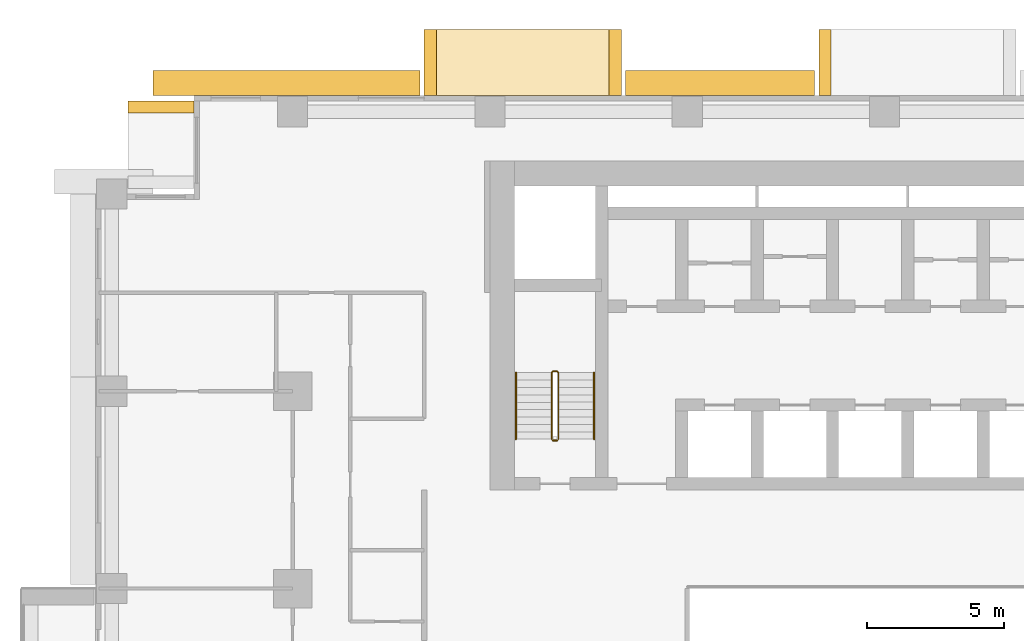
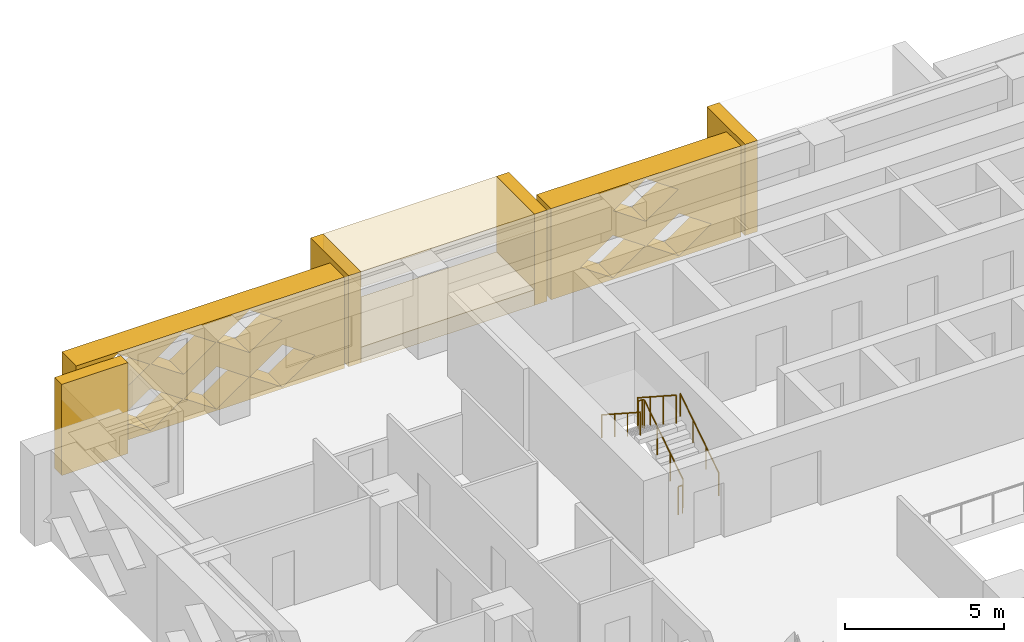
# One storey, part 14 of 16: 8 coverings, 4 railings.
"""IFC4 building model written with IfcOpenShell, lengths in metres."""

from ifc_helpers import new_model, si_unit, direction, frame, origin, origin_2d, place, context, subcontext, project, spatial, polyline, circle, outline, extrude, material, type_object, element, save


model = new_model("IFC4")

# Units and contexts
model_context = context("Model", 3, precision=1e-05, world=origin(), true_north=direction((0.0, 1.0)))
body_context = subcontext(model_context, "Body", "Model", "MODEL_VIEW")
ifc_project = project(units=[si_unit("LENGTHUNIT", "METRE"), si_unit("AREAUNIT", "SQUARE_METRE"), si_unit("VOLUMEUNIT", "CUBIC_METRE"), si_unit("PLANEANGLEUNIT", "RADIAN"), si_unit("MASSUNIT", "GRAM", prefix="KILO")], contexts=[model_context])

# Site, building, storey
site_placement = place(None, origin())
site = spatial("IfcSite", under=ifc_project, at=site_placement, CompositionType="ELEMENT")
building_placement = place(site_placement, origin())
building = spatial("IfcBuilding", under=site, at=building_placement, Name="Saffron Iwan Residences", CompositionType="ELEMENT")
storey_placement = place(building_placement, frame((0.0, 0.0, 48.0)))
storey = spatial("IfcBuildingStorey", under=building, at=storey_placement, Name="L11", CompositionType="ELEMENT", Elevation=48.0)

# Coverings
ifc_material_1 = material(Name="Precast concrete C40/50", Category="concrete")
covering_type_1 = type_object("IfcCoveringType", Name="OUTER SKIN LATTICE SCREEN", PredefinedType="CLADDING", material=ifc_material_1)
covering_1_placement = place(storey_placement, frame((40.64990234375, 80.39990234375, -0.320068359375), z_axis=(0.0, 1.0, 0.0), x_axis=(-1.0, 0.0, 0.0)))
element("IfcCovering", 1, at=covering_1_placement, inside=storey, type_object=covering_type_1, Name="OUTER SKIN lattice screen L11 F5.3", PredefinedType="CLADDING", context=body_context, shape_type="SweptSolid", body=[
    extrude(outline(polyline([(0.0, 0.0), (6.89990234375, 0.0), (6.89990234375, 3.5), (0.0, 3.5), (0.0, 0.0)]), holes=[polyline([(1.070068359375, 0.875), (2.25, 0.06005859375), (3.429931640625, 0.875), (2.25, 1.68994140625), (1.070068359375, 0.875)]), polyline([(3.469970703125, 0.875), (4.64990234375, 0.06005859375), (5.830078125, 0.875), (4.64990234375, 1.68994140625), (3.469970703125, 0.875)]), polyline([(2.27001953125, 2.625), (3.449951171875, 1.81005859375), (4.6298828125, 2.625), (3.449951171875, 3.43994140625), (2.27001953125, 2.625)])]), origin(), (0.0, 0.0, 1.0), 0.900146484375),
])
covering_2_placement = place(storey_placement, frame((26.25, 80.39990234375, -0.320068359375), z_axis=(0.0, 1.0, 0.0), x_axis=(-1.0, 0.0, 0.0)))
element("IfcCovering", 2, at=covering_2_placement, inside=storey, type_object=covering_type_1, Name="OUTER SKIN lattice screen L11 F5.4", PredefinedType="CLADDING", context=body_context, shape_type="SweptSolid", body=[
    extrude(outline(polyline([(0.0, 0.0), (9.75, 0.0), (9.75, 3.5), (0.0, 3.5), (0.0, 0.0)]), holes=[polyline([(1.070068359375, 0.875), (2.25, 0.06005859375), (3.429931640625, 0.875), (2.25, 1.68994140625), (1.070068359375, 0.875)]), polyline([(3.469970703125, 0.875), (4.64990234375, 0.06005859375), (5.830078125, 0.875), (4.64990234375, 1.68994140625), (3.469970703125, 0.875)]), polyline([(5.8701171875, 0.875), (7.050048828125, 0.06005859375), (8.22998046875, 0.875), (7.050048828125, 1.68994140625), (5.8701171875, 0.875)]), polyline([(2.27001953125, 2.625), (3.449951171875, 1.81005859375), (4.6298828125, 2.625), (3.449951171875, 3.43994140625), (2.27001953125, 2.625)]), polyline([(4.669921875, 2.625), (5.85009765625, 1.81005859375), (7.030029296875, 2.625), (5.85009765625, 3.43994140625), (4.669921875, 2.625)]), polyline([(7.070068359375, 2.625), (8.25, 1.81005859375), (9.429931640625, 2.625), (8.25, 3.43994140625), (7.070068359375, 2.625)])]), origin(), (0.0, 0.0, 1.0), 0.900146484375),
])

# Railings
ifc_material_2 = material(Name="Steel S355", Category="steel")
railing_type_1 = type_object("IfcRailingType", Name="Stair guard 1100", PredefinedType="GUARDRAIL", material=ifc_material_2)
railing_1_placement = place(storey_placement, frame((31.300048828125, 67.85009765625, 0.175048828125)))
element("IfcRailing", 3, at=railing_1_placement, inside=storey, type_object=railing_type_1, Name="L11 ST-W stair guard 1", PredefinedType="GUARDRAIL", context=body_context, shape_type="SweptSolid", body=[
    extrude(circle(Radius=0.02392578125, at=origin_2d()), frame((0.0, 0.0, 1.076171875), z_axis=(0.0, 0.839153699163, 0.543894354798), x_axis=(-1.0, 0.0, 0.0)), (0.0, 0.0, 1.0), 2.895751953125),
    extrude(circle(Radius=0.02392578125, at=origin_2d()), frame((0.0, 2.429931640625, 2.65087890625), z_axis=(-0.707106781187, 0.707106781187, 0.0), x_axis=(-0.707106781187, -0.707106781187, 0.0)), (0.0, 0.0, 1.0), 0.07080078125),
    extrude(circle(Radius=0.02392578125, at=origin_2d()), frame((-0.050048828125, 2.47998046875, 2.65087890625), z_axis=(-1.0, 0.0, 0.0), x_axis=(0.0, -1.0, 0.0)), (0.0, 0.0, 1.0), 0.14990234375),
    extrude(circle(Radius=0.02392578125, at=origin_2d()), frame((-0.199951171875, 2.47998046875, 2.65087890625), z_axis=(-0.265065253269, -0.265065253269, 0.927081885822), x_axis=(0.707106781187, -0.707106781187, 0.0)), (0.0, 0.0, 1.0), 0.188720703125),
    extrude(circle(Radius=0.02392578125, at=origin_2d()), frame((-0.25, 2.429931640625, 2.826171875), z_axis=(0.0, -0.839153699163, 0.543894354798), x_axis=(1.0, 0.0, 0.0)), (0.0, 0.0, 1.0), 2.895751953125),
    extrude(circle(Radius=0.02099609375, at=origin_2d()), origin(), (0.0, 0.0, 1.0), 1.052001953125),
    extrude(circle(Radius=0.02099609375, at=origin_2d()), frame((0.0, 0.81005859375, 0.52490234375)), (0.0, 0.0, 1.0), 1.052001953125),
    extrude(circle(Radius=0.02099609375, at=origin_2d()), frame((0.0, 1.619873046875, 1.050048828125)), (0.0, 0.0, 1.0), 1.052001953125),
    extrude(circle(Radius=0.02099609375, at=origin_2d()), frame((0.0, 2.429931640625, 1.574951171875)), (0.0, 0.0, 1.0), 1.052001953125),
    extrude(circle(Radius=0.02099609375, at=origin_2d()), frame((-0.050048828125, 2.47998046875, 1.574951171875)), (0.0, 0.0, 1.0), 1.052001953125),
    extrude(circle(Radius=0.02099609375, at=origin_2d()), frame((-0.199951171875, 2.47998046875, 1.574951171875)), (0.0, 0.0, 1.0), 1.052001953125),
    extrude(circle(Radius=0.02099609375, at=origin_2d()), frame((-0.25, 2.429931640625, 1.75)), (0.0, 0.0, 1.0), 1.052001953125),
    extrude(circle(Radius=0.02099609375, at=origin_2d()), frame((-0.25, 1.619873046875, 2.27490234375)), (0.0, 0.0, 1.0), 1.052001953125),
    extrude(circle(Radius=0.02099609375, at=origin_2d()), frame((-0.25, 0.81005859375, 2.800048828125)), (0.0, 0.0, 1.0), 1.052001953125),
    extrude(circle(Radius=0.02099609375, at=origin_2d()), frame((-0.25, 0.0, 3.324951171875)), (0.0, 0.0, 1.0), 1.052001953125),
])
railing_2_placement = place(storey_placement, frame((31.25, 67.800048828125, 0.0)))
element("IfcRailing", 4, at=railing_2_placement, inside=storey, type_object=railing_type_1, Name="L11 ST-W stair guard 2", PredefinedType="GUARDRAIL", context=body_context, shape_type="SweptSolid", body=[
    extrude(circle(Radius=0.02392578125, at=origin_2d()), frame((0.0, 0.0, 1.076171875), z_axis=(-1.0, 0.0, 0.0), x_axis=(0.0, -1.0, 0.0)), (0.0, 0.0, 1.0), 0.14990234375),
    extrude(circle(Radius=0.02099609375, at=origin_2d()), origin(), (0.0, 0.0, 1.0), 1.052001953125),
    extrude(circle(Radius=0.02099609375, at=origin_2d()), frame((-0.14990234375, 0.0, 0.0)), (0.0, 0.0, 1.0), 1.052001953125),
])
ifc_material_3 = material(Name="Stainless steel 316", Category="steel")
railing_type_2 = type_object("IfcRailingType", Name="Stair handrail 900", PredefinedType="HANDRAIL", material=ifc_material_3)
railing_3_placement = place(storey_placement, frame((32.60009765625, 67.85009765625, 0.175048828125)))
element("IfcRailing", 5, at=railing_3_placement, inside=storey, type_object=railing_type_2, Name="L11 ST-W stair handrail 1", PredefinedType="HANDRAIL", context=body_context, shape_type="SweptSolid", body=[
    extrude(circle(Radius=0.02392578125, at=origin_2d()), frame((0.0, 0.0, 0.8759765625), z_axis=(0.0, 0.839153699163, 0.543894354798), x_axis=(-1.0, 0.0, 0.0)), (0.0, 0.0, 1.0), 2.895751953125),
    extrude(circle(Radius=0.02099609375, at=origin_2d()), origin(), (0.0, 0.0, 1.0), 0.851806640625),
    extrude(circle(Radius=0.02099609375, at=origin_2d()), frame((0.0, 0.81005859375, 0.52490234375)), (0.0, 0.0, 1.0), 0.851806640625),
    extrude(circle(Radius=0.02099609375, at=origin_2d()), frame((0.0, 1.619873046875, 1.050048828125)), (0.0, 0.0, 1.0), 0.851806640625),
    extrude(circle(Radius=0.02099609375, at=origin_2d()), frame((0.0, 2.429931640625, 1.574951171875)), (0.0, 0.0, 1.0), 0.851806640625),
])
railing_4_placement = place(storey_placement, frame((29.75, 70.280029296875, 1.925048828125)))
element("IfcRailing", 6, at=railing_4_placement, inside=storey, type_object=railing_type_2, Name="L11 ST-W stair handrail 2", PredefinedType="HANDRAIL", context=body_context, shape_type="SweptSolid", body=[
    extrude(circle(Radius=0.02392578125, at=origin_2d()), frame((0.0, 0.0, 0.8759765625), z_axis=(0.0, -0.839153699163, 0.543894354798), x_axis=(1.0, 0.0, 0.0)), (0.0, 0.0, 1.0), 2.895751953125),
    extrude(circle(Radius=0.02099609375, at=origin_2d()), origin(), (0.0, 0.0, 1.0), 0.851806640625),
    extrude(circle(Radius=0.02099609375, at=origin_2d()), frame((0.0, -0.81005859375, 0.52490234375)), (0.0, 0.0, 1.0), 0.851806640625),
    extrude(circle(Radius=0.02099609375, at=origin_2d()), frame((0.0, -1.619873046875, 1.050048828125)), (0.0, 0.0, 1.0), 0.851806640625),
    extrude(circle(Radius=0.02099609375, at=origin_2d()), frame((0.0, -2.429931640625, 1.574951171875)), (0.0, 0.0, 1.0), 0.851806640625),
])

# Coverings
ifc_material_4 = material(Name="Precast concrete C40/50 white painted", Category="concrete")
covering_type_2 = type_object("IfcCoveringType", Name="WHITE SUN FRAME PRECAST", PredefinedType="CLADDING", material=ifc_material_4)
for number, where, z_axis, x_axis, name in (
    (7, (41.25, 80.39990234375, -0.320068359375), (0.0, 1.0, 0.0), (-1.0, 0.0, 0.0), "Sun frame L11 F5 34.8b"),
    (8, (33.60009765625, 80.39990234375, -0.320068359375), (0.0, 1.0, 0.0), (-1.0, 0.0, 0.0), "Sun frame L11 F5 49.2a"),
    (9, (26.85009765625, 80.39990234375, -0.320068359375), (0.0, 1.0, 0.0), (-1.0, 0.0, 0.0), "Sun frame L11 F5 49.2b"),
):
    element("IfcCovering", number, at=place(storey_placement, frame(where, z_axis=z_axis, x_axis=x_axis)), inside=storey, type_object=covering_type_2, Name=name, PredefinedType="CLADDING", context=body_context, shape_type="SweptSolid", body=[
        extrude(outline(polyline([(0.0, 0.0), (0.449951171875, 0.0), (0.449951171875, 3.5), (0.0, 3.5), (0.0, 0.0)])), origin(), (0.0, 0.0, 1.0), 2.400146484375),
    ])
for number, where, z_axis, x_axis, name in (
    (10, (33.14990234375, 80.39990234375, 2.580078125), (0.0, 1.0, 0.0), (-1.0, 0.0, 0.0), "Sun frame L11 F5 49.2h"),
    (11, (33.14990234375, 80.39990234375, -0.320068359375), (0.0, 1.0, 0.0), (-1.0, 0.0, 0.0), "Sun frame L11 F5 49.2s"),
):
    element("IfcCovering", number, at=place(storey_placement, frame(where, z_axis=z_axis, x_axis=x_axis)), inside=storey, type_object=covering_type_2, Name=name, PredefinedType="CLADDING", context=body_context, shape_type="SweptSolid", body=[
        extrude(outline(polyline([(0.0, 0.0), (6.300048828125, 0.0), (6.300048828125, 0.60009765625), (0.0, 0.60009765625), (0.0, 0.0)])), origin(), (0.0, 0.0, 1.0), 2.400146484375),
    ])
covering_3_placement = place(storey_placement, frame((18.0, 80.199951171875, -0.320068359375), z_axis=(-1.0, 0.0, 0.0), x_axis=(0.0, -1.0, 0.0)))
element("IfcCovering", 12, at=covering_3_placement, inside=storey, type_object=covering_type_2, Name="Sun frame L11 F6 0.2a", PredefinedType="CLADDING", context=body_context, shape_type="SweptSolid", body=[
    extrude(outline(polyline([(0.0, 0.0), (0.449951171875, 0.0), (0.449951171875, 3.5), (0.0, 3.5), (0.0, 0.0)])), origin(), (0.0, 0.0, 1.0), 2.39990234375),
])

save(model, "model.ifc")
